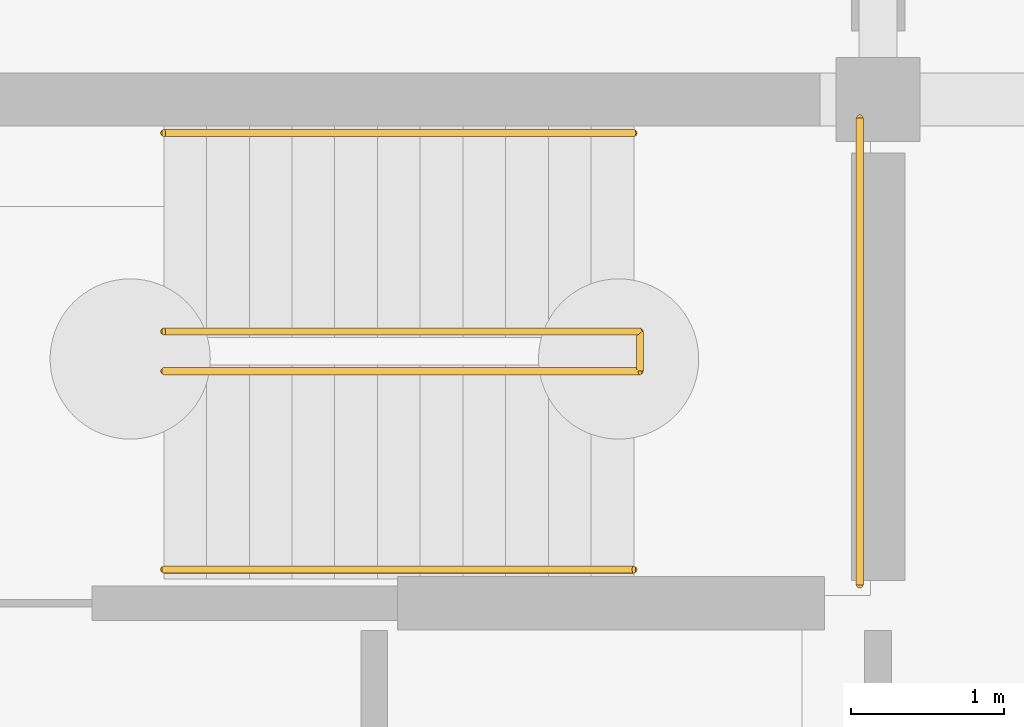
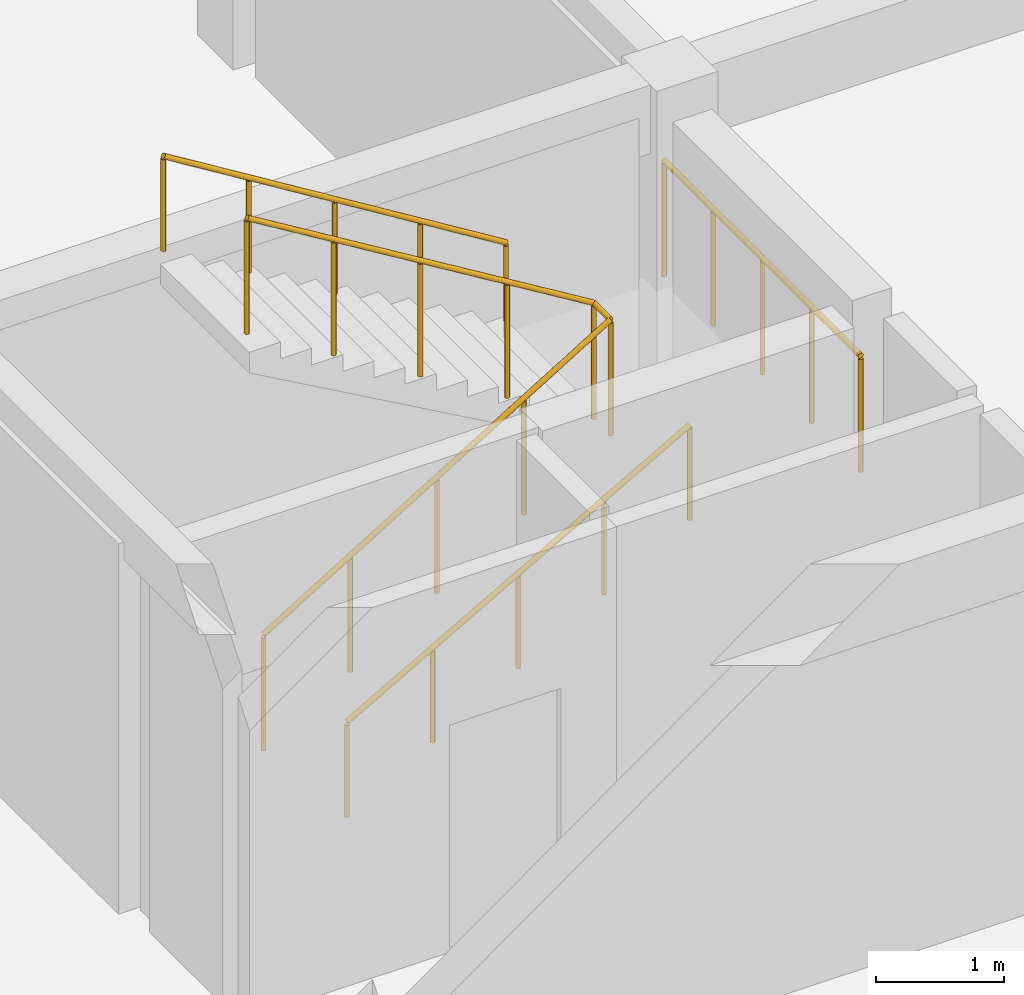
# One storey, part 36 of 37: 4 railings.
"""IFC4 building model written with IfcOpenShell, lengths in metres."""

import ifcopenshell
import ifcopenshell.guid

model = None  # the IFC model being written
_history = None  # IfcOwnerHistory: only IFC2X3 demands one
_inside = {}  # id of a spatial element -> (the spatial element, [elements in it])
_under = {}  # id of a project, library or spatial element -> (it, [spatial elements below it])
_declared = {}  # id of a project -> (the project, [libraries it declares])
_typed = {}  # id of a type object -> (the type object, [elements of that type])
_made_of = {}  # id of a material, layer set ... -> (it, [elements and type objects made of it])


def new_model(schema):
    """Start an empty IFC model of exactly this schema.

    Asked for "IFC4X3", IfcOpenShell would pick the latest addendum, in which some entities
    have other attributes; the version numbers below select the first issue.
    IFC2X3 requires an IfcOwnerHistory on every rooted entity: one is made here for all.
    """
    global model, _history
    if schema == "IFC4X3":
        model = ifcopenshell.file(schema_version=(4, 3, 0, 0))
    else:
        model = ifcopenshell.file(schema=schema)
    _inside.clear()
    _under.clear()
    _declared.clear()
    _typed.clear()
    _made_of.clear()
    _history = None
    if model.schema == "IFC2X3":
        org = make("IfcOrganization", Name="unknown")
        user = make(
            "IfcPersonAndOrganization",
            ThePerson=make("IfcPerson", FamilyName="unknown"),
            TheOrganization=org,
        )
        app = make(
            "IfcApplication",
            ApplicationDeveloper=org,
            Version="unknown",
            ApplicationFullName="unknown",
            ApplicationIdentifier="unknown",
        )
        _history = make(
            "IfcOwnerHistory",
            OwningUser=user,
            OwningApplication=app,
            ChangeAction="ADDED",
            CreationDate=0,
        )
    return model


def make(cls, **values):
    """One entity of the class cls with the attributes given. An attribute that is None is left unset."""
    return model.create_entity(
        cls, **{name: value for name, value in values.items() if value is not None}
    )


def rooted(cls, **values):
    """An entity with a GlobalId (a new one), such as an element, a storey or a relation."""
    return make(cls, GlobalId=ifcopenshell.guid.new(), OwnerHistory=_history, **values)


def si_unit(unit_type, name, prefix=None):
    """IfcSIUnit, for example si_unit("LENGTHUNIT", "METRE", prefix="MILLI")."""
    return make("IfcSIUnit", UnitType=unit_type, Prefix=prefix, Name=name)


def assignment(units):
    """IfcUnitAssignment: the units of a project."""
    return None if units is None else make("IfcUnitAssignment", Units=units)


def point(xyz):
    """IfcCartesianPoint."""
    return None if xyz is None else make("IfcCartesianPoint", Coordinates=xyz)


def direction(xyz):
    """IfcDirection."""
    return None if xyz is None else make("IfcDirection", DirectionRatios=xyz)


def frame(location, z_axis=None, x_axis=None):
    """IfcAxis2Placement3D, a coordinate frame: its origin and axes. An axis left out is left unset."""
    return make(
        "IfcAxis2Placement3D",
        Location=point(location),
        Axis=direction(z_axis),
        RefDirection=direction(x_axis),
    )


def frame_2d(location, x_axis=None):
    """IfcAxis2Placement2D, a coordinate frame in the plane: its origin and x axis."""
    return make(
        "IfcAxis2Placement2D", Location=point(location), RefDirection=direction(x_axis)
    )


def origin():
    """The frame at (0, 0, 0) with its axes left unset."""
    return frame((0.0, 0.0, 0.0))


def origin_2d():
    """The frame at (0, 0) in the plane with its x axis left unset."""
    return frame_2d((0.0, 0.0))


def place(relative_to, where):
    """IfcLocalPlacement: puts the frame where relative to a parent placement (None: the world)."""
    return make(
        "IfcLocalPlacement", PlacementRelTo=relative_to, RelativePlacement=where
    )


def context(
    kind, dimensions, precision=None, world=None, true_north=None, identifier=None
):
    """IfcGeometricRepresentationContext, for example the 3D "Model" context."""
    return make(
        "IfcGeometricRepresentationContext",
        ContextIdentifier=identifier,
        ContextType=kind,
        CoordinateSpaceDimension=dimensions,
        Precision=precision,
        WorldCoordinateSystem=world,
        TrueNorth=true_north,
    )


def subcontext(parent, identifier, kind, view, scale=None):
    """IfcGeometricRepresentationSubContext, for example "Body" below "Model"."""
    return make(
        "IfcGeometricRepresentationSubContext",
        ContextIdentifier=identifier,
        ContextType=kind,
        ParentContext=parent,
        TargetScale=scale,
        TargetView=view,
    )


def project(units=None, contexts=None):
    """IfcProject with its units and contexts."""
    return rooted(
        "IfcProject",
        Name="project",
        RepresentationContexts=contexts,
        UnitsInContext=assignment(units),
    )


def spatial(cls, under=None, at=None, **own):
    """A site, building, storey or space (cls), placed at a placement, below another one or the project."""
    s = rooted(cls, ObjectPlacement=at, **own)
    if under is not None:
        _under.setdefault(under.id(), (under, []))[1].append(s)
    return s


def profile(cls, at=None, kind="AREA", **sizes):
    """A parametric profile (cls). Its sizes go by their IFC names, for example OverallWidth=200.0."""
    return make(cls, ProfileType=kind, Position=at, **sizes)


def circle(**sizes):
    """IfcCircleProfileDef."""
    return profile("IfcCircleProfileDef", **sizes)


def extrude(swept, where, along, depth):
    """IfcExtrudedAreaSolid: the profile swept, set in the frame where, extruded along a direction by depth."""
    return make(
        "IfcExtrudedAreaSolid",
        SweptArea=swept,
        Position=where,
        ExtrudedDirection=direction(along),
        Depth=depth,
    )


def shape(context_of_items, identifier, shape_type, items):
    """IfcShapeRepresentation: the items that make up one representation, for example the "Body"."""
    return make(
        "IfcShapeRepresentation",
        ContextOfItems=context_of_items,
        RepresentationIdentifier=identifier,
        RepresentationType=shape_type,
        Items=items,
    )


def material(Name=None, Category=None):
    """IfcMaterial."""
    return make("IfcMaterial", Name=Name, Category=Category)


def made_of(thing, what):
    """Note that an element or type object is made of a material, layer set ...; save() writes the relation."""
    if what is not None:
        _made_of.setdefault(what.id(), (what, []))[1].append(thing)
    return thing


def type_object(cls, material=None, **own):
    """A type object (cls), such as IfcWallType, which elements share."""
    return made_of(rooted(cls, **own), material)


def element(
    cls,
    number,
    at=None,
    inside=None,
    cuts=None,
    type_object=None,
    material=None,
    context=None,
    identifier="Body",
    shape_type=None,
    held_by="IfcProductDefinitionShape",
    body=None,
    shapes=None,
    **own,
):
    """One element of the class cls, such as IfcWall. Its Tag is "e" and its number.

    at: its placement. inside: the storey or other place that contains it. cuts: it is an
    opening in that element (IfcRelVoidsElement). A single representation is given by context,
    identifier, shape_type and body (its items); several are given by shapes. held_by: the class
    of the entity that holds the representations. save() writes the other relations.
    """
    e = rooted(cls, Tag="e%d" % number, ObjectPlacement=at, **own)
    if body is not None:
        shapes = [shape(context, identifier, shape_type, body)]
    if shapes is not None:
        e.Representation = make(held_by, Representations=shapes)
    if inside is not None:
        _inside.setdefault(inside.id(), (inside, []))[1].append(e)
    if cuts is not None:
        rooted(
            "IfcRelVoidsElement", RelatingBuildingElement=cuts, RelatedOpeningElement=e
        )
    if type_object is not None:
        _typed.setdefault(type_object.id(), (type_object, []))[1].append(e)
    return made_of(e, material)


def aggregate(whole, parts):
    """IfcRelAggregates: a whole, such as a stair, and the parts it consists of."""
    return rooted("IfcRelAggregates", RelatingObject=whole, RelatedObjects=parts)


def save(model, path):
    """Write the relations noted so far, then the file.

    IfcRelAggregates (storeys below a building ...), IfcRelContainedInSpatialStructure (elements
    in a storey), IfcRelDefinesByType, IfcRelAssociatesMaterial and IfcRelDeclares: one each for
    every whole, place, type object, material and project.
    """
    for whole, parts in _under.values():
        aggregate(whole, parts)
    for where, things in _inside.values():
        rooted(
            "IfcRelContainedInSpatialStructure",
            RelatedElements=things,
            RelatingStructure=where,
        )
    for kind, things in _typed.values():
        rooted("IfcRelDefinesByType", RelatedObjects=things, RelatingType=kind)
    for what, things in _made_of.values():
        rooted("IfcRelAssociatesMaterial", RelatedObjects=things, RelatingMaterial=what)
    for by, libraries in _declared.values():
        rooted("IfcRelDeclares", RelatingContext=by, RelatedDefinitions=libraries)
    model.write(path)


model = new_model("IFC4")

# Units and contexts
model_context = context("Model", 3, precision=1e-05, world=origin(), true_north=direction((0.0, 1.0)))
body_context = subcontext(model_context, "Body", "Model", "MODEL_VIEW")
ifc_project = project(units=[si_unit("LENGTHUNIT", "METRE"), si_unit("AREAUNIT", "SQUARE_METRE"), si_unit("VOLUMEUNIT", "CUBIC_METRE"), si_unit("PLANEANGLEUNIT", "RADIAN"), si_unit("MASSUNIT", "GRAM", prefix="KILO")], contexts=[model_context])

# Site, building, storey
site_placement = place(None, origin())
site = spatial("IfcSite", under=ifc_project, at=site_placement, CompositionType="ELEMENT")
building_placement = place(site_placement, origin())
building = spatial("IfcBuilding", under=site, at=building_placement, Name="Kernevlak Ridge Housing Community", CompositionType="ELEMENT")
storey_placement = place(building_placement, frame((0.0, 0.0, -3.800048828125)))
storey = spatial("IfcBuildingStorey", under=building, at=storey_placement, Name="B1", CompositionType="ELEMENT", Elevation=-3.800048828125)

# Railings
ifc_material_1 = material(Name="Steel S355", Category="steel")
railing_type_1 = type_object("IfcRailingType", Name="GR-02", PredefinedType="GUARDRAIL", material=ifc_material_1)
railing_1_placement = place(storey_placement, frame((134.52001953125, 94.02001953125, 0.0)))
element("IfcRailing", 1, at=railing_1_placement, inside=storey, type_object=railing_type_1, Name="Stair ST-B2 B1 inner well guardrail", PredefinedType="GUARDRAIL", context=body_context, shape_type="SweptSolid", body=[
    extrude(circle(Radius=0.02392578125, at=origin_2d()), frame((0.0, 0.0, 1.09619140625), z_axis=(0.854065598125, 0.0, 0.520165314203), x_axis=(0.0, 1.0, 0.0)), (0.0, 0.0, 1.0), 3.653076171875),
    extrude(circle(Radius=0.02392578125, at=origin_2d()), frame((3.119873046875, 0.0, 2.99609375), z_axis=(0.0, 1.0, 0.0), x_axis=(-1.0, 0.0, 0.0)), (0.0, 0.0, 1.0), 0.260009765625),
    extrude(circle(Radius=0.02392578125, at=origin_2d()), frame((3.119873046875, 0.260009765625, 2.99609375), z_axis=(-0.854095288912, 0.0, 0.520116561415), x_axis=(0.0, -1.0, 0.0)), (0.0, 0.0, 1.0), 3.65283203125),
    extrude(circle(Radius=0.02099609375, at=origin_2d()), origin(), (0.0, 0.0, 1.0), 1.072021484375),
    extrude(circle(Radius=0.02099609375, at=origin_2d()), frame((0.780029296875, 0.0, 0.47509765625)), (0.0, 0.0, 1.0), 1.072021484375),
    extrude(circle(Radius=0.02099609375, at=origin_2d()), frame((1.56005859375, 0.0, 0.9501953125)), (0.0, 0.0, 1.0), 1.072021484375),
    extrude(circle(Radius=0.02099609375, at=origin_2d()), frame((2.33984375, 0.0, 1.425048828125)), (0.0, 0.0, 1.0), 1.072021484375),
    extrude(circle(Radius=0.02099609375, at=origin_2d()), frame((3.119873046875, 0.0, 1.900146484375)), (0.0, 0.0, 1.0), 1.072021484375),
    extrude(circle(Radius=0.02099609375, at=origin_2d()), frame((3.119873046875, 0.260009765625, 1.900146484375)), (0.0, 0.0, 1.0), 1.072021484375),
    extrude(circle(Radius=0.02099609375, at=origin_2d()), frame((2.33984375, 0.260009765625, 2.375)), (0.0, 0.0, 1.0), 1.072021484375),
    extrude(circle(Radius=0.02099609375, at=origin_2d()), frame((1.56005859375, 0.260009765625, 2.85009765625)), (0.0, 0.0, 1.0), 1.072021484375),
    extrude(circle(Radius=0.02099609375, at=origin_2d()), frame((0.780029296875, 0.260009765625, 3.3251953125)), (0.0, 0.0, 1.0), 1.072021484375),
    extrude(circle(Radius=0.02099609375, at=origin_2d()), frame((0.0, 0.260009765625, 3.800048828125)), (0.0, 0.0, 1.0), 1.072021484375),
])
railing_2_placement = place(storey_placement, frame((139.080078125, 92.6201171875, 1.900146484375)))
element("IfcRailing", 2, at=railing_2_placement, inside=storey, type_object=railing_type_1, Name="Stair ST-B2 B1 half-landing guard", PredefinedType="GUARDRAIL", context=body_context, shape_type="SweptSolid", body=[
    extrude(circle(Radius=0.02392578125, at=origin_2d()), frame((0.0, 0.0, 1.09619140625), z_axis=(0.0, 1.0, 0.0), x_axis=(-1.0, 0.0, 0.0)), (0.0, 0.0, 1.0), 3.059814453125),
    extrude(circle(Radius=0.02099609375, at=origin_2d()), origin(), (0.0, 0.0, 1.0), 1.072021484375),
    extrude(circle(Radius=0.02099609375, at=origin_2d()), frame((0.0, 0.764892578125, 0.0)), (0.0, 0.0, 1.0), 1.072021484375),
    extrude(circle(Radius=0.02099609375, at=origin_2d()), frame((0.0, 1.52978515625, 0.0)), (0.0, 0.0, 1.0), 1.072021484375),
    extrude(circle(Radius=0.02099609375, at=origin_2d()), frame((0.0, 2.294921875, 0.0)), (0.0, 0.0, 1.0), 1.072021484375),
    extrude(circle(Radius=0.02099609375, at=origin_2d()), frame((0.0, 3.059814453125, 0.0)), (0.0, 0.0, 1.0), 1.072021484375),
])
ifc_material_2 = material(Name="Stainless steel EN 1.4401", Category="steel")
railing_type_2 = type_object("IfcRailingType", Name="HR-01", PredefinedType="HANDRAIL", material=ifc_material_2)
railing_3_placement = place(storey_placement, frame((134.52001953125, 92.719970703125, 0.158447265625)))
element("IfcRailing", 3, at=railing_3_placement, inside=storey, type_object=railing_type_2, Name="Stair ST-B2 B1 flight 1 handrail", PredefinedType="HANDRAIL", context=body_context, shape_type="SweptSolid", body=[
    extrude(circle(Radius=0.02392578125, at=origin_2d()), frame((0.0, 0.0, 0.89599609375), z_axis=(0.870467729004, 0.0, 0.492225489752), x_axis=(0.0, 1.0, 0.0)), (0.0, 0.0, 1.0), 3.538330078125),
    extrude(circle(Radius=0.02099609375, at=origin_2d()), origin(), (0.0, 0.0, 1.0), 0.871826171875),
    extrude(circle(Radius=0.02099609375, at=origin_2d()), frame((0.77001953125, 0.0, 0.435546875)), (0.0, 0.0, 1.0), 0.871826171875),
    extrude(circle(Radius=0.02099609375, at=origin_2d()), frame((1.5400390625, 0.0, 0.870849609375)), (0.0, 0.0, 1.0), 0.871826171875),
    extrude(circle(Radius=0.02099609375, at=origin_2d()), frame((2.31005859375, 0.0, 1.30615234375)), (0.0, 0.0, 1.0), 0.871826171875),
    extrude(circle(Radius=0.02099609375, at=origin_2d()), frame((3.080078125, 0.0, 1.74169921875)), (0.0, 0.0, 1.0), 0.871826171875),
])
railing_4_placement = place(storey_placement, frame((137.60009765625, 95.580078125, 1.900146484375)))
element("IfcRailing", 4, at=railing_4_placement, inside=storey, type_object=railing_type_2, Name="Stair ST-B2 B1 flight 2 handrail", PredefinedType="HANDRAIL", context=body_context, shape_type="SweptSolid", body=[
    extrude(circle(Radius=0.02392578125, at=origin_2d()), frame((0.0, 0.0, 0.89599609375), z_axis=(-0.851106564228, 0.0, 0.524992967884), x_axis=(0.0, -1.0, 0.0)), (0.0, 0.0, 1.0), 3.618896484375),
    extrude(circle(Radius=0.02099609375, at=origin_2d()), origin(), (0.0, 0.0, 1.0), 0.871826171875),
    extrude(circle(Radius=0.02099609375, at=origin_2d()), frame((-0.77001953125, 0.0, 0.47509765625)), (0.0, 0.0, 1.0), 0.871826171875),
    extrude(circle(Radius=0.02099609375, at=origin_2d()), frame((-1.5400390625, 0.0, 0.949951171875)), (0.0, 0.0, 1.0), 0.871826171875),
    extrude(circle(Radius=0.02099609375, at=origin_2d()), frame((-2.31005859375, 0.0, 1.4248046875)), (0.0, 0.0, 1.0), 0.871826171875),
    extrude(circle(Radius=0.02099609375, at=origin_2d()), frame((-3.080078125, 0.0, 1.89990234375)), (0.0, 0.0, 1.0), 0.871826171875),
])

save(model, "model.ifc")
